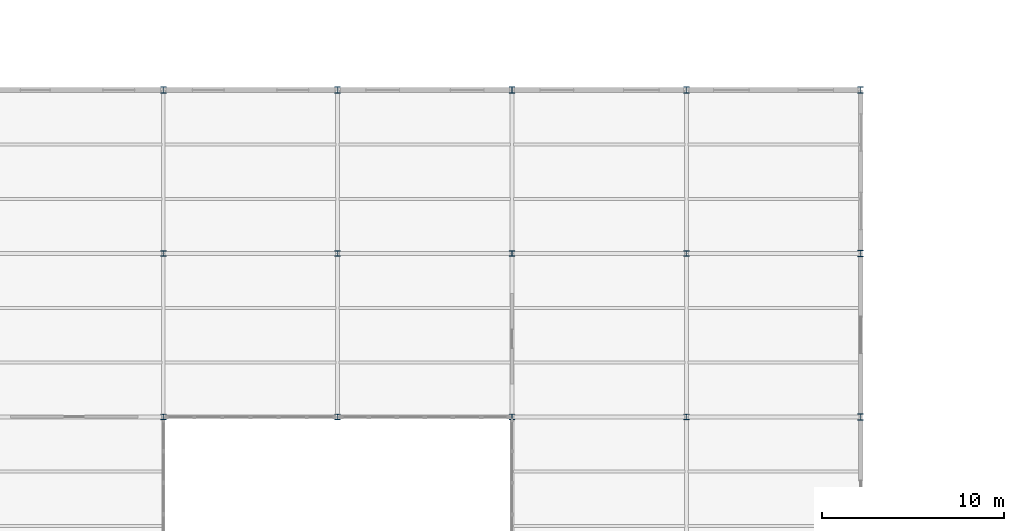
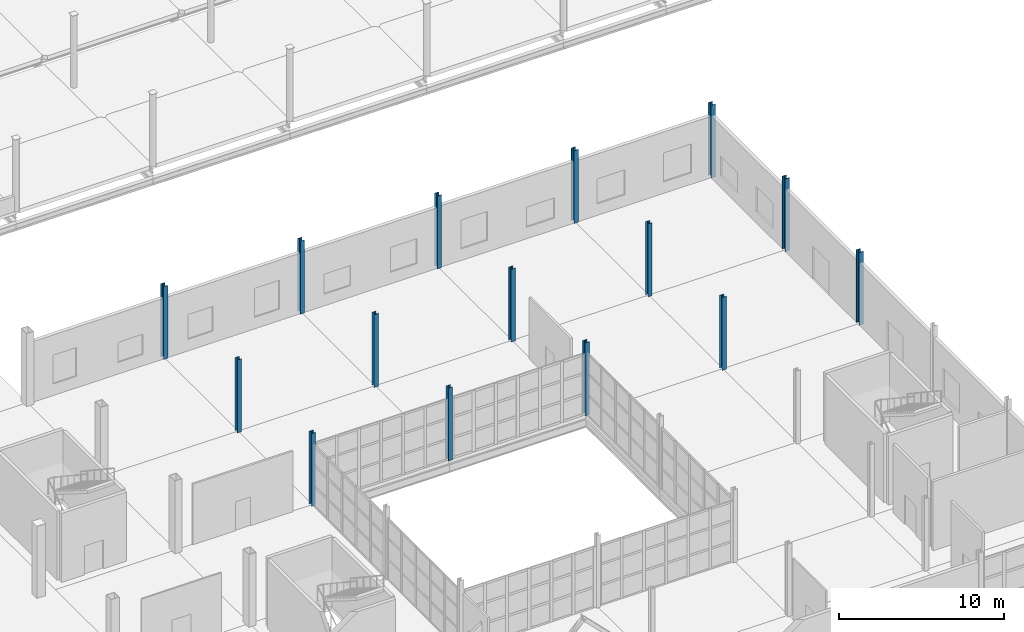
# One storey, part 18 of 85: 15 columns.
"""IFC4 building model written with IfcOpenShell, lengths in metres."""

from ifc_helpers import new_model, si_unit, direction, frame, origin, origin_2d, place, context, subcontext, project, spatial, i_section, extrude, material, material_profile, profile_set, type_object, element, save


model = new_model("IFC4")

# Units and contexts
model_context = context("Model", 3, precision=1e-05, world=origin(), true_north=direction((0.0, 1.0)))
body_context = subcontext(model_context, "Body", "Model", "MODEL_VIEW")
ifc_project = project(units=[si_unit("LENGTHUNIT", "METRE"), si_unit("AREAUNIT", "SQUARE_METRE"), si_unit("VOLUMEUNIT", "CUBIC_METRE"), si_unit("PLANEANGLEUNIT", "RADIAN"), si_unit("MASSUNIT", "GRAM", prefix="KILO")], contexts=[model_context])

# Site, building, storey
site_placement = place(None, origin())
site = spatial("IfcSite", under=ifc_project, at=site_placement, CompositionType="ELEMENT")
building_placement = place(site_placement, origin())
building = spatial("IfcBuilding", under=site, at=building_placement, Name="Zarnetskaya Central Station", CompositionType="ELEMENT")
storey_placement = place(building_placement, origin())
storey = spatial("IfcBuildingStorey", under=building, at=storey_placement, Name="L00", CompositionType="ELEMENT", Elevation=0.0)

# Columns
ifc_material = material(Name="Steel S355", Category="steel")
ifc_material_profile_1 = material_profile(ifc_material, i_section(OverallWidth=0.300048828125, OverallDepth=0.360107421875, WebThickness=0.012451171875, FlangeThickness=0.0224609375, FilletRadius=0.027099609375, at=origin_2d()), Name="HEB 360")
ifc_profile_set_1 = profile_set([ifc_material_profile_1], Name="Steel S355")
column_type_1 = type_object("IfcColumnType", Name="COL-V4-EXT", PredefinedType="COLUMN", material=ifc_profile_set_1)
for number, where, z_axis, x_axis, name in (
    (1, (134.39990234375, 49.199951171875, 0.0), (0.0, 0.0, 1.0), (1.0, 0.0, 0.0), "Column Q7 L00"),
    (2, (144.0, 49.199951171875, 0.0), (0.0, 0.0, 1.0), (1.0, 0.0, 0.0), "Column R7 L00"),
    (3, (153.60009765625, 49.199951171875, 0.0), (0.0, 0.0, 1.0), (1.0, 0.0, 0.0), "Column S7 L00"),
    (4, (163.199951171875, 49.199951171875, 0.0), (0.0, 0.0, 1.0), (1.0, 0.0, 0.0), "Column T7 L00"),
    (5, (172.800048828125, 31.199951171875, 0.0), (0.0, 0.0, 1.0), (1.0, 0.0, 0.0), "Column U5 L00"),
    (6, (172.800048828125, 40.199951171875, 0.0), (0.0, 0.0, 1.0), (1.0, 0.0, 0.0), "Column U6 L00"),
    (7, (172.800048828125, 49.199951171875, 0.0), (0.0, 0.0, 1.0), (1.0, 0.0, 0.0), "Column U7 L00"),
):
    element("IfcColumn", number, at=place(storey_placement, frame(where, z_axis=z_axis, x_axis=x_axis)), inside=storey, type_object=column_type_1, Name=name, PredefinedType="COLUMN", context=body_context, shape_type="SweptSolid", body=[
        extrude(i_section(OverallWidth=0.300048828125, OverallDepth=0.360107421875, WebThickness=0.012451171875, FlangeThickness=0.0224609375, FilletRadius=0.027099609375, at=origin_2d()), origin(), (0.0, 0.0, 1.0), 5.39990234375),
    ])
ifc_material_profile_2 = material_profile(ifc_material, i_section(OverallWidth=0.300048828125, OverallDepth=0.300048828125, WebThickness=0.010986328125, FlangeThickness=0.01904296875, FilletRadius=0.027099609375, at=origin_2d()), Name="HEB 300")
ifc_profile_set_2 = profile_set([ifc_material_profile_2], Name="Steel S355")
column_type_2 = type_object("IfcColumnType", Name="COL-V4-INT", PredefinedType="COLUMN", material=ifc_profile_set_2)
for number, where, z_axis, x_axis, name in (
    (8, (134.39990234375, 31.199951171875, 0.0), (0.0, 0.0, 1.0), (1.0, 0.0, 0.0), "Column Q5 L00"),
    (9, (134.39990234375, 40.199951171875, 0.0), (0.0, 0.0, 1.0), (1.0, 0.0, 0.0), "Column Q6 L00"),
    (10, (144.0, 31.199951171875, 0.0), (0.0, 0.0, 1.0), (1.0, 0.0, 0.0), "Column R5 L00"),
    (11, (144.0, 40.199951171875, 0.0), (0.0, 0.0, 1.0), (1.0, 0.0, 0.0), "Column R6 L00"),
    (12, (153.60009765625, 31.199951171875, 0.0), (0.0, 0.0, 1.0), (1.0, 0.0, 0.0), "Column S5 L00"),
    (13, (153.60009765625, 40.199951171875, 0.0), (0.0, 0.0, 1.0), (1.0, 0.0, 0.0), "Column S6 L00"),
    (14, (163.199951171875, 31.199951171875, 0.0), (0.0, 0.0, 1.0), (1.0, 0.0, 0.0), "Column T5 L00"),
    (15, (163.199951171875, 40.199951171875, 0.0), (0.0, 0.0, 1.0), (1.0, 0.0, 0.0), "Column T6 L00"),
):
    element("IfcColumn", number, at=place(storey_placement, frame(where, z_axis=z_axis, x_axis=x_axis)), inside=storey, type_object=column_type_2, Name=name, PredefinedType="COLUMN", context=body_context, shape_type="SweptSolid", body=[
        extrude(i_section(OverallWidth=0.300048828125, OverallDepth=0.300048828125, WebThickness=0.010986328125, FlangeThickness=0.01904296875, FilletRadius=0.027099609375, at=origin_2d()), origin(), (0.0, 0.0, 1.0), 5.39990234375),
    ])

save(model, "model.ifc")
